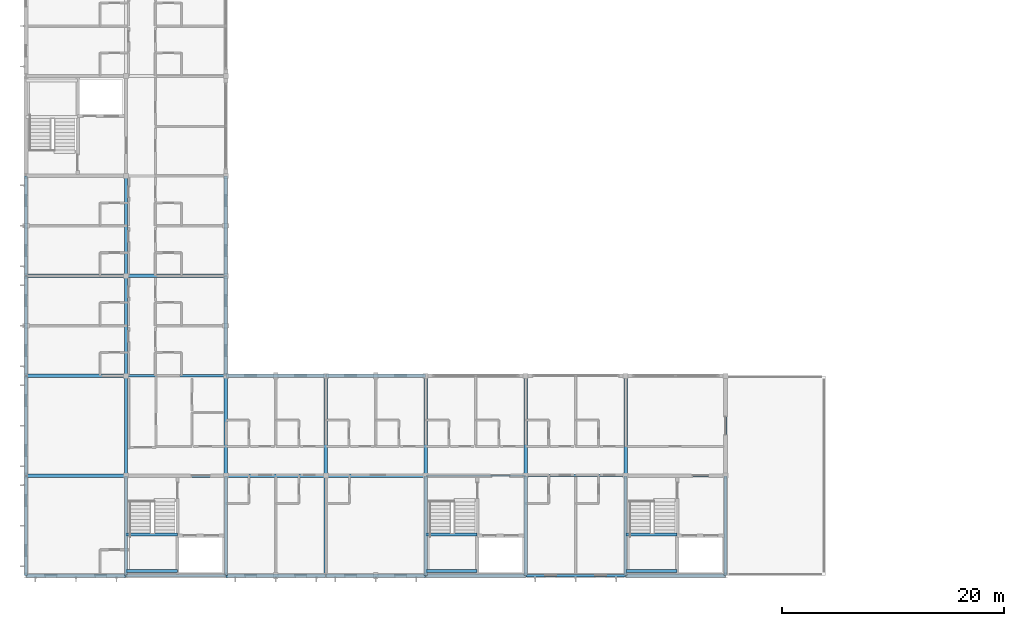
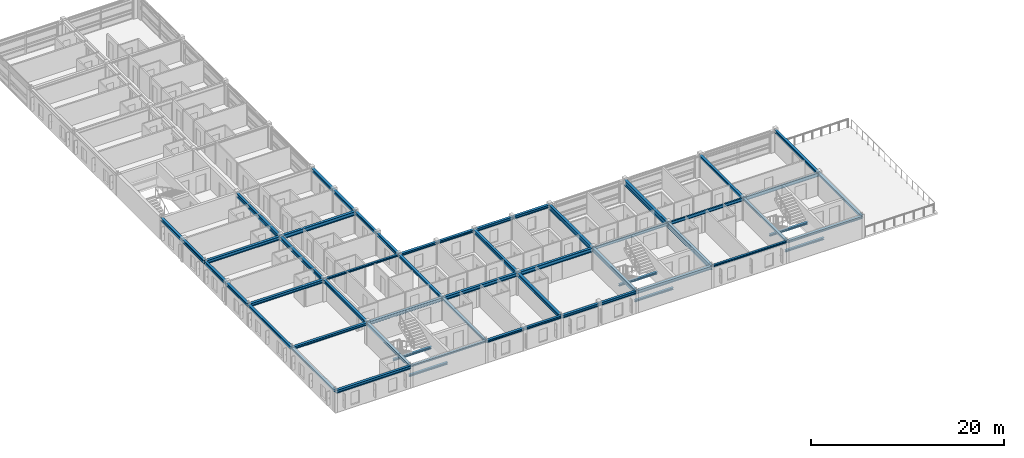
# One storey, part 4 of 24: 48 beams.
"""IFC4 building model written with IfcOpenShell, lengths in metres."""

from ifc_helpers import new_model, si_unit, direction, frame, origin, origin_2d, place, context, subcontext, project, spatial, i_section, extrude, material, material_profile, profile_set, type_object, element, save


model = new_model("IFC4")

# Units and contexts
model_context = context("Model", 3, precision=1e-05, world=origin(), true_north=direction((0.0, 1.0)))
body_context = subcontext(model_context, "Body", "Model", "MODEL_VIEW")
ifc_project = project(units=[si_unit("LENGTHUNIT", "METRE"), si_unit("AREAUNIT", "SQUARE_METRE"), si_unit("VOLUMEUNIT", "CUBIC_METRE"), si_unit("PLANEANGLEUNIT", "RADIAN"), si_unit("MASSUNIT", "GRAM", prefix="KILO")], contexts=[model_context])

# Site, building, storey
site_placement = place(None, origin())
site = spatial("IfcSite", under=ifc_project, at=site_placement, CompositionType="ELEMENT")
building_placement = place(site_placement, origin())
building = spatial("IfcBuilding", under=site, at=building_placement, Name="Palais des Congres Ocreval", CompositionType="ELEMENT")
storey_placement = place(building_placement, frame((0.0, 0.0, 17.60009765625)))
storey = spatial("IfcBuildingStorey", under=building, at=storey_placement, Name="L05", CompositionType="ELEMENT", Elevation=17.60009765625)

# Beams
ifc_material = material(Name="Steel S355", Category="steel")
ifc_material_profile_1 = material_profile(ifc_material, i_section(OverallWidth=0.169921875, OverallDepth=0.360107421875, WebThickness=0.008056640625, FlangeThickness=0.0126953125, at=origin_2d()), Name="IPE 360")
ifc_profile_set_1 = profile_set([ifc_material_profile_1], Name="Steel S355")
beam_type_1 = type_object("IfcBeamType", Name="Composite Beam IPE 360 Steel S355", PredefinedType="BEAM", material=ifc_profile_set_1)
beam_1_placement = place(storey_placement, frame((36.02001953125, 9.0, 2.599853515625), z_axis=(1.0, 0.0, 0.0), x_axis=(0.0, 1.0, 0.0)))
element("IfcBeam", 1, at=beam_1_placement, inside=storey, type_object=beam_type_1, Name="Beam B01 L05", PredefinedType="BEAM", context=body_context, shape_type="SweptSolid", body=[
    extrude(i_section(OverallWidth=0.169921875, OverallDepth=0.360107421875, WebThickness=0.008056640625, FlangeThickness=0.0126953125, at=origin_2d()), origin(), (0.0, 0.0, 1.0), 8.9599609375),
])
ifc_material_profile_2 = material_profile(ifc_material, i_section(OverallWidth=0.179931640625, OverallDepth=0.39990234375, WebThickness=0.008544921875, FlangeThickness=0.013427734375, at=origin_2d()), Name="IPE 400")
ifc_profile_set_2 = profile_set([ifc_material_profile_2], Name="Steel S355")
beam_type_2 = type_object("IfcBeamType", Name="Composite Beam IPE 400 Steel S355", PredefinedType="BEAM", material=ifc_profile_set_2)
beam_2_placement = place(storey_placement, frame((45.02001953125, 9.0, 2.579833984375), z_axis=(1.0, 0.0, 0.0), x_axis=(0.0, 1.0, 0.0)))
element("IfcBeam", 2, at=beam_2_placement, inside=storey, type_object=beam_type_2, Name="Beam B02 L05", PredefinedType="BEAM", context=body_context, shape_type="SweptSolid", body=[
    extrude(i_section(OverallWidth=0.179931640625, OverallDepth=0.39990234375, WebThickness=0.008544921875, FlangeThickness=0.013427734375, at=origin_2d()), origin(), (0.0, 0.0, 1.0), 8.9599609375),
])
ifc_material_profile_3 = material_profile(ifc_material, i_section(OverallWidth=0.18994140625, OverallDepth=0.449951171875, WebThickness=0.009521484375, FlangeThickness=0.0146484375, at=origin_2d()), Name="IPE 450")
ifc_profile_set_3 = profile_set([ifc_material_profile_3], Name="Steel S355")
beam_type_3 = type_object("IfcBeamType", Name="Composite Beam IPE 450 Steel S355", PredefinedType="BEAM", material=ifc_profile_set_3)
beam_3_placement = place(storey_placement, frame((54.02001953125, 9.0, 2.554931640625), z_axis=(1.0, 0.0, 0.0), x_axis=(0.0, 1.0, 0.0)))
element("IfcBeam", 3, at=beam_3_placement, inside=storey, type_object=beam_type_3, Name="Beam B03 L05", PredefinedType="BEAM", context=body_context, shape_type="SweptSolid", body=[
    extrude(i_section(OverallWidth=0.18994140625, OverallDepth=0.449951171875, WebThickness=0.009521484375, FlangeThickness=0.0146484375, at=origin_2d()), origin(), (0.0, 0.0, 1.0), 8.9599609375),
])
ifc_material_profile_4 = material_profile(ifc_material, i_section(OverallWidth=0.260009765625, OverallDepth=0.260009765625, WebThickness=0.010009765625, FlangeThickness=0.017578125, at=origin_2d()), Name="HEB 260")
ifc_profile_set_4 = profile_set([ifc_material_profile_4], Name="Steel S355")
beam_type_4 = type_object("IfcBeamType", Name="Opening Lintel HEB 260 Steel S355", PredefinedType="LINTEL", material=ifc_profile_set_4)
for number, where, z_axis, x_axis, name in (
    (4, (0.0, 0.02001953125, 2.64990234375), (0.0, 1.0, 0.0), (-1.0, 0.0, 0.0), "Girder LN01 L05"),
    (5, (18.0, 0.02001953125, 2.64990234375), (0.0, 1.0, 0.0), (-1.0, 0.0, 0.0), "Girder LN01 L05"),
    (6, (54.0, 0.02001953125, 2.64990234375), (0.0, 1.0, 0.0), (-1.0, 0.0, 0.0), "Girder LN01 L05"),
):
    element("IfcBeam", number, at=place(storey_placement, frame(where, z_axis=z_axis, x_axis=x_axis)), inside=storey, type_object=beam_type_4, Name=name, PredefinedType="LINTEL", context=body_context, shape_type="SweptSolid", body=[
        extrude(i_section(OverallWidth=0.260009765625, OverallDepth=0.260009765625, WebThickness=0.010009765625, FlangeThickness=0.017578125, at=origin_2d()), origin(), (0.0, 0.0, 1.0), 8.9599609375),
    ])
for number, where, z_axis, x_axis, name in (
    (7, (9.02001953125, 0.419921875, 1.18994140625), (1.0, 0.0, 0.0), (0.0, 1.0, 0.0), "Stair Landing Support Beam ST01 L05-1"),
    (8, (9.02001953125, 3.695068359375, 1.18994140625), (1.0, 0.0, 0.0), (0.0, 1.0, 0.0), "Stair Landing Support Beam ST01 L05-2"),
    (9, (36.02001953125, 0.419921875, 1.18994140625), (1.0, 0.0, 0.0), (0.0, 1.0, 0.0), "Stair Landing Support Beam ST02 L05-1"),
    (10, (36.02001953125, 3.695068359375, 1.18994140625), (1.0, 0.0, 0.0), (0.0, 1.0, 0.0), "Stair Landing Support Beam ST02 L05-2"),
    (11, (54.02001953125, 0.419921875, 1.18994140625), (1.0, 0.0, 0.0), (0.0, 1.0, 0.0), "Stair Landing Support Beam ST04 L05-1"),
    (12, (54.02001953125, 3.695068359375, 1.18994140625), (1.0, 0.0, 0.0), (0.0, 1.0, 0.0), "Stair Landing Support Beam ST04 L05-2"),
):
    element("IfcBeam", number, at=place(storey_placement, frame(where, z_axis=z_axis, x_axis=x_axis)), inside=storey, type_object=beam_type_4, Name=name, PredefinedType="LINTEL", context=body_context, shape_type="SweptSolid", body=[
        extrude(i_section(OverallWidth=0.260009765625, OverallDepth=0.260009765625, WebThickness=0.010009765625, FlangeThickness=0.017578125, at=origin_2d()), origin(), (0.0, 0.0, 1.0), 4.60986328125),
    ])
ifc_material_profile_5 = material_profile(ifc_material, i_section(OverallWidth=0.239990234375, OverallDepth=0.22998046875, WebThickness=0.007568359375, FlangeThickness=0.011962890625, at=origin_2d()), Name="HEA 240")
ifc_profile_set_5 = profile_set([ifc_material_profile_5], Name="Steel S355")
beam_type_5 = type_object("IfcBeamType", Name="Perimeter Spandrel HEA 240 Steel S355", PredefinedType="SPANDREL", material=ifc_profile_set_5)
for number, where, z_axis, x_axis, name in (
    (13, (9.02001953125, 0.0, 2.664794921875), (1.0, 0.0, 0.0), (0.0, 1.0, 0.0), "Beam SP01 L05"),
    (14, (9.02001953125, 18.0, 2.664794921875), (1.0, 0.0, 0.0), (0.0, 1.0, 0.0), "Beam SP01 L05"),
    (15, (45.02001953125, 0.0, 2.664794921875), (1.0, 0.0, 0.0), (0.0, 1.0, 0.0), "Beam SP01 L05"),
):
    element("IfcBeam", number, at=place(storey_placement, frame(where, z_axis=z_axis, x_axis=x_axis)), inside=storey, type_object=beam_type_5, Name=name, PredefinedType="SPANDREL", context=body_context, shape_type="SweptSolid", body=[
        extrude(i_section(OverallWidth=0.239990234375, OverallDepth=0.22998046875, WebThickness=0.007568359375, FlangeThickness=0.011962890625, at=origin_2d()), origin(), (0.0, 0.0, 1.0), 8.9599609375),
    ])
ifc_material_profile_6 = material_profile(ifc_material, i_section(OverallWidth=0.300048828125, OverallDepth=0.300048828125, WebThickness=0.010986328125, FlangeThickness=0.01904296875, at=origin_2d()), Name="HEB 300")
ifc_profile_set_6 = profile_set([ifc_material_profile_6], Name="Steel S355")
beam_type_6 = type_object("IfcBeamType", Name="Perimeter Spandrel HEB 300 Steel S355", PredefinedType="SPANDREL", material=ifc_profile_set_6)
for number, where, z_axis, x_axis, name in (
    (16, (0.0, 9.02001953125, 2.6298828125), (0.0, 1.0, 0.0), (-1.0, 0.0, 0.0), "Girder SP02 L05"),
    (17, (18.02001953125, 0.0, 2.6298828125), (1.0, 0.0, 0.0), (0.0, 1.0, 0.0), "Beam SP02 L05"),
    (18, (18.0, 9.02001953125, 2.6298828125), (0.0, 1.0, 0.0), (-1.0, 0.0, 0.0), "Girder SP02 L05"),
    (19, (18.02001953125, 18.0, 2.6298828125), (1.0, 0.0, 0.0), (0.0, 1.0, 0.0), "Beam SP02 L05"),
    (20, (54.02001953125, 0.0, 2.6298828125), (1.0, 0.0, 0.0), (0.0, 1.0, 0.0), "Beam SP02 L05"),
    (21, (54.0, 9.02001953125, 2.6298828125), (0.0, 1.0, 0.0), (-1.0, 0.0, 0.0), "Girder SP02 L05"),
):
    element("IfcBeam", number, at=place(storey_placement, frame(where, z_axis=z_axis, x_axis=x_axis)), inside=storey, type_object=beam_type_6, Name=name, PredefinedType="SPANDREL", context=body_context, shape_type="SweptSolid", body=[
        extrude(i_section(OverallWidth=0.300048828125, OverallDepth=0.300048828125, WebThickness=0.010986328125, FlangeThickness=0.01904296875, at=origin_2d()), origin(), (0.0, 0.0, 1.0), 8.9599609375),
    ])
ifc_material_profile_7 = material_profile(ifc_material, i_section(OverallWidth=0.300048828125, OverallDepth=0.360107421875, WebThickness=0.012451171875, FlangeThickness=0.0224609375, at=origin_2d()), Name="HEB 360")
ifc_profile_set_7 = profile_set([ifc_material_profile_7], Name="Steel S355")
beam_type_7 = type_object("IfcBeamType", Name="Perimeter Spandrel HEB 360 Steel S355", PredefinedType="SPANDREL", material=ifc_profile_set_7)
for number, where, z_axis, x_axis, name in (
    (22, (0.0, 18.02001953125, 2.599853515625), (0.0, 1.0, 0.0), (-1.0, 0.0, 0.0), "Girder SP03 L05"),
    (23, (18.0, 18.02001953125, 2.599853515625), (0.0, 1.0, 0.0), (-1.0, 0.0, 0.0), "Girder SP03 L05"),
    (24, (27.02001953125, 0.0, 2.599853515625), (1.0, 0.0, 0.0), (0.0, 1.0, 0.0), "Beam SP03 L05"),
    (25, (27.02001953125, 18.0, 2.599853515625), (1.0, 0.0, 0.0), (0.0, 1.0, 0.0), "Beam SP03 L05"),
):
    element("IfcBeam", number, at=place(storey_placement, frame(where, z_axis=z_axis, x_axis=x_axis)), inside=storey, type_object=beam_type_7, Name=name, PredefinedType="SPANDREL", context=body_context, shape_type="SweptSolid", body=[
        extrude(i_section(OverallWidth=0.300048828125, OverallDepth=0.360107421875, WebThickness=0.012451171875, FlangeThickness=0.0224609375, at=origin_2d()), origin(), (0.0, 0.0, 1.0), 8.9599609375),
    ])
ifc_material_profile_8 = material_profile(ifc_material, i_section(OverallWidth=0.300048828125, OverallDepth=0.39990234375, WebThickness=0.013427734375, FlangeThickness=0.02392578125, at=origin_2d()), Name="HEB 400")
ifc_profile_set_8 = profile_set([ifc_material_profile_8], Name="Steel S355")
beam_type_8 = type_object("IfcBeamType", Name="Perimeter Spandrel HEB 400 Steel S355", PredefinedType="SPANDREL", material=ifc_profile_set_8)
for number, where, z_axis, x_axis, name in (
    (26, (0.02001953125, 0.0, 2.579833984375), (1.0, 0.0, 0.0), (0.0, 1.0, 0.0), "Beam SP04 L05"),
    (27, (0.02001953125, 18.0, 2.579833984375), (1.0, 0.0, 0.0), (0.0, 1.0, 0.0), "Beam SP04 L05"),
    (28, (0.0, 27.02001953125, 2.579833984375), (0.0, 1.0, 0.0), (-1.0, 0.0, 0.0), "Girder SP04 L05"),
    (29, (18.0, 27.02001953125, 2.579833984375), (0.0, 1.0, 0.0), (-1.0, 0.0, 0.0), "Girder SP04 L05"),
    (30, (36.02001953125, 0.0, 2.579833984375), (1.0, 0.0, 0.0), (0.0, 1.0, 0.0), "Beam SP04 L05"),
):
    element("IfcBeam", number, at=place(storey_placement, frame(where, z_axis=z_axis, x_axis=x_axis)), inside=storey, type_object=beam_type_8, Name=name, PredefinedType="SPANDREL", context=body_context, shape_type="SweptSolid", body=[
        extrude(i_section(OverallWidth=0.300048828125, OverallDepth=0.39990234375, WebThickness=0.013427734375, FlangeThickness=0.02392578125, at=origin_2d()), origin(), (0.0, 0.0, 1.0), 8.9599609375),
    ])
ifc_material_profile_9 = material_profile(ifc_material, i_section(OverallWidth=0.300048828125, OverallDepth=0.2900390625, WebThickness=0.008544921875, FlangeThickness=0.013916015625, at=origin_2d()), Name="HEA 300")
ifc_profile_set_9 = profile_set([ifc_material_profile_9], Name="Steel S355")
beam_type_9 = type_object("IfcBeamType", Name="Primary Beam HEA 300 Steel S355", PredefinedType="BEAM", material=ifc_profile_set_9)
beam_4_placement = place(storey_placement, frame((63.0, 0.02001953125, 2.635009765625), z_axis=(0.0, 1.0, 0.0), x_axis=(-1.0, 0.0, 0.0)))
element("IfcBeam", 31, at=beam_4_placement, inside=storey, type_object=beam_type_9, Name="Girder B08 L05", PredefinedType="BEAM", context=body_context, shape_type="SweptSolid", body=[
    extrude(i_section(OverallWidth=0.300048828125, OverallDepth=0.2900390625, WebThickness=0.008544921875, FlangeThickness=0.013916015625, at=origin_2d()), origin(), (0.0, 0.0, 1.0), 8.9599609375),
])
ifc_material_profile_10 = material_profile(ifc_material, i_section(OverallWidth=0.300048828125, OverallDepth=0.330078125, WebThickness=0.009521484375, FlangeThickness=0.0166015625, at=origin_2d()), Name="HEA 340")
ifc_profile_set_10 = profile_set([ifc_material_profile_10], Name="Steel S355")
beam_type_10 = type_object("IfcBeamType", Name="Primary Beam HEA 340 Steel S355", PredefinedType="BEAM", material=ifc_profile_set_10)
for number, where, z_axis, x_axis, name in (
    (32, (0.02001953125, 9.0, 2.614990234375), (1.0, 0.0, 0.0), (0.0, 1.0, 0.0), "Beam B09 L05"),
    (33, (9.0, 0.02001953125, 2.614990234375), (0.0, 1.0, 0.0), (-1.0, 0.0, 0.0), "Girder B09 L05"),
    (34, (63.0, 9.02001953125, 2.614990234375), (0.0, 1.0, 0.0), (-1.0, 0.0, 0.0), "Girder B09 L05"),
):
    element("IfcBeam", number, at=place(storey_placement, frame(where, z_axis=z_axis, x_axis=x_axis)), inside=storey, type_object=beam_type_10, Name=name, PredefinedType="BEAM", context=body_context, shape_type="SweptSolid", body=[
        extrude(i_section(OverallWidth=0.300048828125, OverallDepth=0.330078125, WebThickness=0.009521484375, FlangeThickness=0.0166015625, at=origin_2d()), origin(), (0.0, 0.0, 1.0), 8.9599609375),
    ])
ifc_material_profile_11 = material_profile(ifc_material, i_section(OverallWidth=0.300048828125, OverallDepth=0.389892578125, WebThickness=0.010986328125, FlangeThickness=0.01904296875, at=origin_2d()), Name="HEA 400")
ifc_profile_set_11 = profile_set([ifc_material_profile_11], Name="Steel S355")
beam_type_11 = type_object("IfcBeamType", Name="Primary Beam HEA 400 Steel S355", PredefinedType="BEAM", material=ifc_profile_set_11)
for number, where, z_axis, x_axis, name in (
    (35, (9.02001953125, 9.0, 2.5849609375), (1.0, 0.0, 0.0), (0.0, 1.0, 0.0), "Beam B10 L05"),
    (36, (9.0, 9.02001953125, 2.5849609375), (0.0, 1.0, 0.0), (-1.0, 0.0, 0.0), "Girder B10 L05"),
):
    element("IfcBeam", number, at=place(storey_placement, frame(where, z_axis=z_axis, x_axis=x_axis)), inside=storey, type_object=beam_type_11, Name=name, PredefinedType="BEAM", context=body_context, shape_type="SweptSolid", body=[
        extrude(i_section(OverallWidth=0.300048828125, OverallDepth=0.389892578125, WebThickness=0.010986328125, FlangeThickness=0.01904296875, at=origin_2d()), origin(), (0.0, 0.0, 1.0), 8.9599609375),
    ])
ifc_material_profile_12 = material_profile(ifc_material, i_section(OverallWidth=0.300048828125, OverallDepth=0.43994140625, WebThickness=0.011474609375, FlangeThickness=0.02099609375, at=origin_2d()), Name="HEA 450")
ifc_profile_set_12 = profile_set([ifc_material_profile_12], Name="Steel S355")
beam_type_12 = type_object("IfcBeamType", Name="Primary Beam HEA 450 Steel S355", PredefinedType="BEAM", material=ifc_profile_set_12)
for number, where, z_axis, x_axis, name in (
    (37, (0.02001953125, 27.0, 2.559814453125), (1.0, 0.0, 0.0), (0.0, 1.0, 0.0), "Beam B11 L05"),
    (38, (9.0, 18.02001953125, 2.559814453125), (0.0, 1.0, 0.0), (-1.0, 0.0, 0.0), "Girder B11 L05"),
    (39, (18.02001953125, 9.0, 2.559814453125), (1.0, 0.0, 0.0), (0.0, 1.0, 0.0), "Beam B11 L05"),
    (40, (27.0, 0.02001953125, 2.559814453125), (0.0, 1.0, 0.0), (-1.0, 0.0, 0.0), "Girder B11 L05"),
):
    element("IfcBeam", number, at=place(storey_placement, frame(where, z_axis=z_axis, x_axis=x_axis)), inside=storey, type_object=beam_type_12, Name=name, PredefinedType="BEAM", context=body_context, shape_type="SweptSolid", body=[
        extrude(i_section(OverallWidth=0.300048828125, OverallDepth=0.43994140625, WebThickness=0.011474609375, FlangeThickness=0.02099609375, at=origin_2d()), origin(), (0.0, 0.0, 1.0), 8.9599609375),
    ])
ifc_material_profile_13 = material_profile(ifc_material, i_section(OverallWidth=0.300048828125, OverallDepth=0.489990234375, WebThickness=0.011962890625, FlangeThickness=0.02294921875, at=origin_2d()), Name="HEA 500")
ifc_profile_set_13 = profile_set([ifc_material_profile_13], Name="Steel S355")
beam_type_13 = type_object("IfcBeamType", Name="Primary Beam HEA 500 Steel S355", PredefinedType="BEAM", material=ifc_profile_set_13)
for number, where, z_axis, x_axis, name in (
    (41, (9.02001953125, 27.0, 2.534912109375), (1.0, 0.0, 0.0), (0.0, 1.0, 0.0), "Beam B12 L05"),
    (42, (9.0, 27.02001953125, 2.534912109375), (0.0, 1.0, 0.0), (-1.0, 0.0, 0.0), "Girder B12 L05"),
    (43, (27.02001953125, 9.0, 2.534912109375), (1.0, 0.0, 0.0), (0.0, 1.0, 0.0), "Beam B12 L05"),
    (44, (27.0, 9.02001953125, 2.534912109375), (0.0, 1.0, 0.0), (-1.0, 0.0, 0.0), "Girder B12 L05"),
    (45, (36.0, 0.02001953125, 2.534912109375), (0.0, 1.0, 0.0), (-1.0, 0.0, 0.0), "Girder B12 L05"),
):
    element("IfcBeam", number, at=place(storey_placement, frame(where, z_axis=z_axis, x_axis=x_axis)), inside=storey, type_object=beam_type_13, Name=name, PredefinedType="BEAM", context=body_context, shape_type="SweptSolid", body=[
        extrude(i_section(OverallWidth=0.300048828125, OverallDepth=0.489990234375, WebThickness=0.011962890625, FlangeThickness=0.02294921875, at=origin_2d()), origin(), (0.0, 0.0, 1.0), 8.9599609375),
    ])
ifc_material_profile_14 = material_profile(ifc_material, i_section(OverallWidth=0.300048828125, OverallDepth=0.590087890625, WebThickness=0.012939453125, FlangeThickness=0.02490234375, at=origin_2d()), Name="HEA 600")
ifc_profile_set_14 = profile_set([ifc_material_profile_14], Name="Steel S355")
beam_type_14 = type_object("IfcBeamType", Name="Primary Girder HEA 600 Steel S355", PredefinedType="BEAM", material=ifc_profile_set_14)
for number, where, z_axis, x_axis, name in (
    (46, (36.0, 9.02001953125, 2.48486328125), (0.0, 1.0, 0.0), (-1.0, 0.0, 0.0), "Girder B13 L05"),
    (47, (45.0, 0.02001953125, 2.48486328125), (0.0, 1.0, 0.0), (-1.0, 0.0, 0.0), "Girder B13 L05"),
):
    element("IfcBeam", number, at=place(storey_placement, frame(where, z_axis=z_axis, x_axis=x_axis)), inside=storey, type_object=beam_type_14, Name=name, PredefinedType="BEAM", context=body_context, shape_type="SweptSolid", body=[
        extrude(i_section(OverallWidth=0.300048828125, OverallDepth=0.590087890625, WebThickness=0.012939453125, FlangeThickness=0.02490234375, at=origin_2d()), origin(), (0.0, 0.0, 1.0), 8.9599609375),
    ])
ifc_material_profile_15 = material_profile(ifc_material, i_section(OverallWidth=0.300048828125, OverallDepth=0.68994140625, WebThickness=0.014404296875, FlangeThickness=0.027099609375, at=origin_2d()), Name="HEA 700")
ifc_profile_set_15 = profile_set([ifc_material_profile_15], Name="Steel S355")
beam_type_15 = type_object("IfcBeamType", Name="Primary Girder HEA 700 Steel S355", PredefinedType="BEAM", material=ifc_profile_set_15)
beam_5_placement = place(storey_placement, frame((45.0, 9.02001953125, 2.434814453125), z_axis=(0.0, 1.0, 0.0), x_axis=(-1.0, 0.0, 0.0)))
element("IfcBeam", 48, at=beam_5_placement, inside=storey, type_object=beam_type_15, Name="Girder B14 L05", PredefinedType="BEAM", context=body_context, shape_type="SweptSolid", body=[
    extrude(i_section(OverallWidth=0.300048828125, OverallDepth=0.68994140625, WebThickness=0.014404296875, FlangeThickness=0.027099609375, at=origin_2d()), origin(), (0.0, 0.0, 1.0), 8.9599609375),
])

save(model, "model.ifc")
